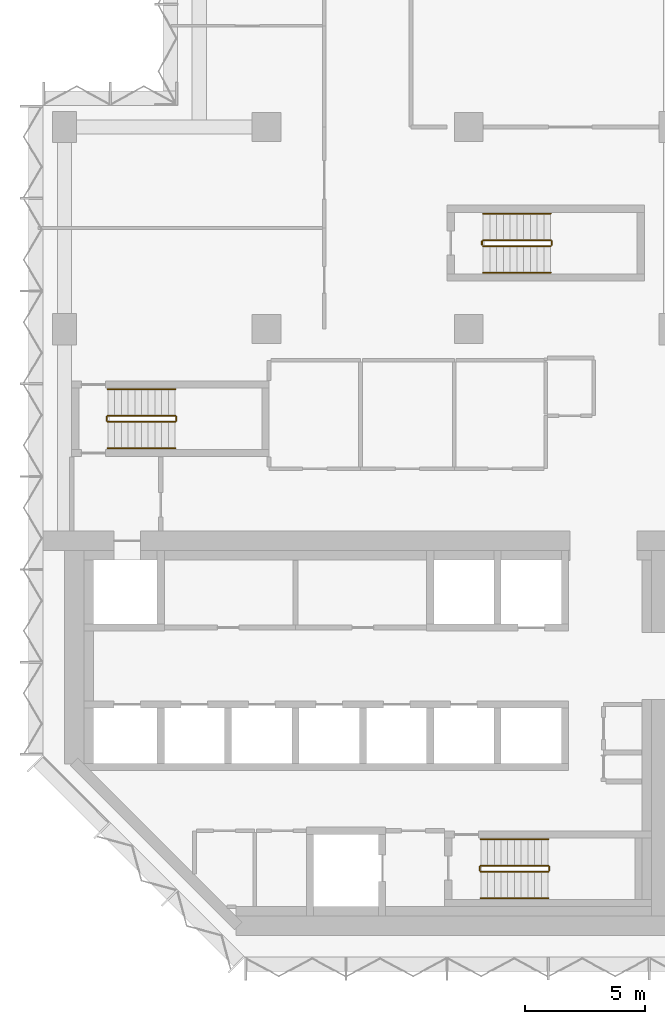
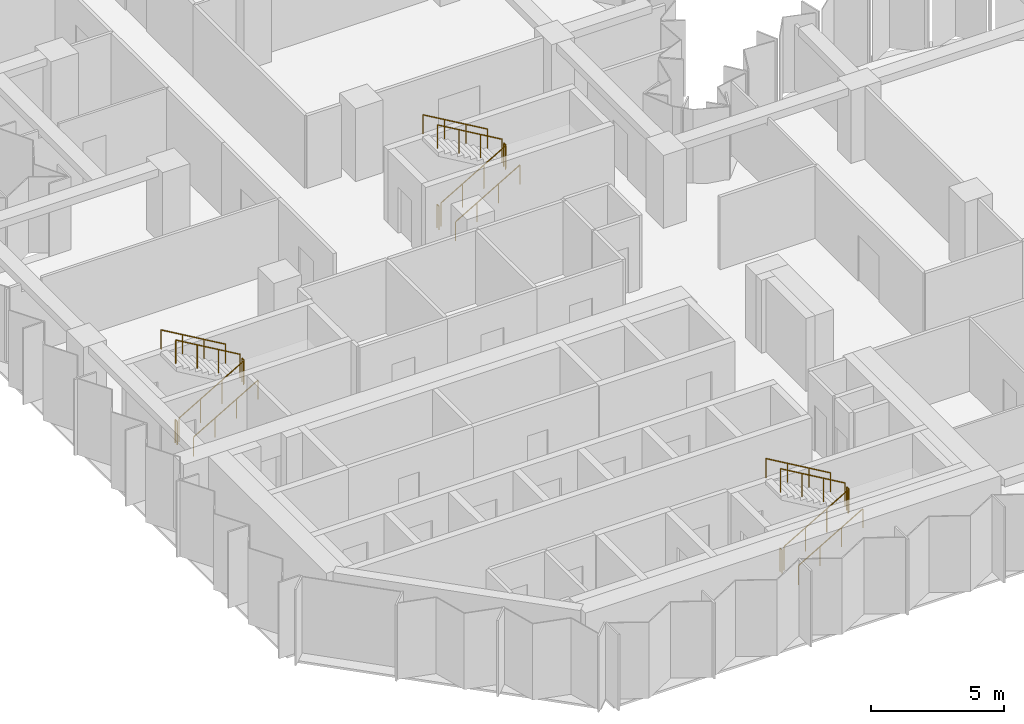
# One storey, part 10 of 11: 18 railings.
"""IFC4 building model written with IfcOpenShell, lengths in metres."""

from ifc_helpers import new_model, si_unit, direction, frame, origin, origin_2d, place, context, subcontext, project, spatial, circle, extrude, material, type_object, element, save


model = new_model("IFC4")

# Units and contexts
model_context = context("Model", 3, precision=1e-05, world=origin(), true_north=direction((0.0, 1.0)))
body_context = subcontext(model_context, "Body", "Model", "MODEL_VIEW")
ifc_project = project(units=[si_unit("LENGTHUNIT", "METRE"), si_unit("AREAUNIT", "SQUARE_METRE"), si_unit("VOLUMEUNIT", "CUBIC_METRE"), si_unit("PLANEANGLEUNIT", "RADIAN"), si_unit("MASSUNIT", "GRAM", prefix="KILO")], contexts=[model_context])

# Site, building, storey
site_placement = place(None, origin())
site = spatial("IfcSite", under=ifc_project, at=site_placement, CompositionType="ELEMENT")
building_placement = place(site_placement, origin())
building = spatial("IfcBuilding", under=site, at=building_placement, Name="Brevane Broadcast Tower", CompositionType="ELEMENT")
storey_placement = place(building_placement, frame((0.0, 0.0, 142.10009765625)))
storey = spatial("IfcBuildingStorey", under=building, at=storey_placement, Name="L35", CompositionType="ELEMENT", Elevation=142.10009765625)

# Railings
ifc_material = material(Name="Steel S355", Category="steel")
railing_type_1 = type_object("IfcRailingType", Name="Exit stair guard", PredefinedType="GUARDRAIL", material=ifc_material)
railing_1_placement = place(storey_placement, frame((1.800048828125, 21.35009765625, 0.16357421875)))
element("IfcRailing", 1, at=railing_1_placement, inside=storey, type_object=railing_type_1, Name="L35 ST-1 stair guard 1", PredefinedType="GUARDRAIL", context=body_context, shape_type="SweptSolid", body=[
    extrude(circle(Radius=0.02392578125, at=origin_2d()), frame((0.0, 0.0, 1.076171875), z_axis=(0.863393664356, 0.0, 0.504530851732), x_axis=(0.0, 1.0, 0.0)), (0.0, 0.0, 1.0), 3.2431640625),
    extrude(circle(Radius=0.02099609375, at=origin_2d()), origin(), (0.0, 0.0, 1.0), 1.052001953125),
    extrude(circle(Radius=0.02099609375, at=origin_2d()), frame((0.933349609375, 0.0, 0.54541015625)), (0.0, 0.0, 1.0), 1.052001953125),
    extrude(circle(Radius=0.02099609375, at=origin_2d()), frame((1.86669921875, 0.0, 1.0908203125)), (0.0, 0.0, 1.0), 1.052001953125),
    extrude(circle(Radius=0.02099609375, at=origin_2d()), frame((2.800048828125, 0.0, 1.63623046875)), (0.0, 0.0, 1.0), 1.052001953125),
])
railing_2_placement = place(storey_placement, frame((4.64990234375, 21.39990234375, 1.7998046875)))
element("IfcRailing", 2, at=railing_2_placement, inside=storey, type_object=railing_type_1, Name="L35 ST-1 stair guard 2", PredefinedType="GUARDRAIL", context=body_context, shape_type="SweptSolid", body=[
    extrude(circle(Radius=0.02392578125, at=origin_2d()), frame((0.0, 0.0, 1.076171875), z_axis=(0.0, 1.0, 0.0), x_axis=(-1.0, 0.0, 0.0)), (0.0, 0.0, 1.0), 0.150146484375),
    extrude(circle(Radius=0.02099609375, at=origin_2d()), origin(), (0.0, 0.0, 1.0), 1.052001953125),
    extrude(circle(Radius=0.02099609375, at=origin_2d()), frame((0.0, 0.150146484375, 0.0)), (0.0, 0.0, 1.0), 1.052001953125),
])
railing_3_placement = place(storey_placement, frame((4.60009765625, 21.60009765625, 1.963623046875)))
element("IfcRailing", 3, at=railing_3_placement, inside=storey, type_object=railing_type_1, Name="L35 ST-1 stair guard 3", PredefinedType="GUARDRAIL", context=body_context, shape_type="SweptSolid", body=[
    extrude(circle(Radius=0.02392578125, at=origin_2d()), frame((0.0, 0.0, 1.076171875), z_axis=(-0.863393664356, 0.0, 0.504530851732), x_axis=(0.0, -1.0, 0.0)), (0.0, 0.0, 1.0), 3.2431640625),
    extrude(circle(Radius=0.02099609375, at=origin_2d()), origin(), (0.0, 0.0, 1.0), 1.052001953125),
    extrude(circle(Radius=0.02099609375, at=origin_2d()), frame((-0.933349609375, 0.0, 0.54541015625)), (0.0, 0.0, 1.0), 1.052001953125),
    extrude(circle(Radius=0.02099609375, at=origin_2d()), frame((-1.86669921875, 0.0, 1.0908203125)), (0.0, 0.0, 1.0), 1.052001953125),
    extrude(circle(Radius=0.02099609375, at=origin_2d()), frame((-2.800048828125, 0.0, 1.63623046875)), (0.0, 0.0, 1.0), 1.052001953125),
])
railing_4_placement = place(storey_placement, frame((1.75, 21.39990234375, 0.0)))
element("IfcRailing", 4, at=railing_4_placement, inside=storey, type_object=railing_type_1, Name="L35 ST-1 stair guard 4", PredefinedType="GUARDRAIL", context=body_context, shape_type="SweptSolid", body=[
    extrude(circle(Radius=0.02392578125, at=origin_2d()), frame((0.0, 0.0, 1.076171875), z_axis=(0.0, 1.0, 0.0), x_axis=(-1.0, 0.0, 0.0)), (0.0, 0.0, 1.0), 0.150146484375),
    extrude(circle(Radius=0.02099609375, at=origin_2d()), origin(), (0.0, 0.0, 1.0), 1.052001953125),
    extrude(circle(Radius=0.02099609375, at=origin_2d()), frame((0.0, 0.150146484375, 0.0)), (0.0, 0.0, 1.0), 1.052001953125),
])
railing_5_placement = place(storey_placement, frame((17.300048828125, 2.64990234375, 0.16357421875)))
element("IfcRailing", 5, at=railing_5_placement, inside=storey, type_object=railing_type_1, Name="L35 ST-2 stair guard 1", PredefinedType="GUARDRAIL", context=body_context, shape_type="SweptSolid", body=[
    extrude(circle(Radius=0.02392578125, at=origin_2d()), frame((0.0, 0.0, 1.076171875), z_axis=(0.863393664356, 0.0, 0.504530851732), x_axis=(0.0, 1.0, 0.0)), (0.0, 0.0, 1.0), 3.2431640625),
    extrude(circle(Radius=0.02099609375, at=origin_2d()), origin(), (0.0, 0.0, 1.0), 1.052001953125),
    extrude(circle(Radius=0.02099609375, at=origin_2d()), frame((0.933349609375, 0.0, 0.54541015625)), (0.0, 0.0, 1.0), 1.052001953125),
    extrude(circle(Radius=0.02099609375, at=origin_2d()), frame((1.86669921875, 0.0, 1.0908203125)), (0.0, 0.0, 1.0), 1.052001953125),
    extrude(circle(Radius=0.02099609375, at=origin_2d()), frame((2.800048828125, 0.0, 1.63623046875)), (0.0, 0.0, 1.0), 1.052001953125),
])
railing_6_placement = place(storey_placement, frame((20.14990234375, 2.699951171875, 1.7998046875)))
element("IfcRailing", 6, at=railing_6_placement, inside=storey, type_object=railing_type_1, Name="L35 ST-2 stair guard 2", PredefinedType="GUARDRAIL", context=body_context, shape_type="SweptSolid", body=[
    extrude(circle(Radius=0.02392578125, at=origin_2d()), frame((0.0, 0.0, 1.076171875), z_axis=(0.0, 1.0, 0.0), x_axis=(-1.0, 0.0, 0.0)), (0.0, 0.0, 1.0), 0.150146484375),
    extrude(circle(Radius=0.02099609375, at=origin_2d()), origin(), (0.0, 0.0, 1.0), 1.052001953125),
    extrude(circle(Radius=0.02099609375, at=origin_2d()), frame((0.0, 0.150146484375, 0.0)), (0.0, 0.0, 1.0), 1.052001953125),
])
railing_7_placement = place(storey_placement, frame((20.10009765625, 2.89990234375, 1.963623046875)))
element("IfcRailing", 7, at=railing_7_placement, inside=storey, type_object=railing_type_1, Name="L35 ST-2 stair guard 3", PredefinedType="GUARDRAIL", context=body_context, shape_type="SweptSolid", body=[
    extrude(circle(Radius=0.02392578125, at=origin_2d()), frame((0.0, 0.0, 1.076171875), z_axis=(-0.863393664356, 0.0, 0.504530851732), x_axis=(0.0, -1.0, 0.0)), (0.0, 0.0, 1.0), 3.2431640625),
    extrude(circle(Radius=0.02099609375, at=origin_2d()), origin(), (0.0, 0.0, 1.0), 1.052001953125),
    extrude(circle(Radius=0.02099609375, at=origin_2d()), frame((-0.933349609375, 0.0, 0.54541015625)), (0.0, 0.0, 1.0), 1.052001953125),
    extrude(circle(Radius=0.02099609375, at=origin_2d()), frame((-1.86669921875, 0.0, 1.0908203125)), (0.0, 0.0, 1.0), 1.052001953125),
    extrude(circle(Radius=0.02099609375, at=origin_2d()), frame((-2.800048828125, 0.0, 1.63623046875)), (0.0, 0.0, 1.0), 1.052001953125),
])
railing_8_placement = place(storey_placement, frame((17.25, 2.699951171875, 0.0)))
element("IfcRailing", 8, at=railing_8_placement, inside=storey, type_object=railing_type_1, Name="L35 ST-2 stair guard 4", PredefinedType="GUARDRAIL", context=body_context, shape_type="SweptSolid", body=[
    extrude(circle(Radius=0.02392578125, at=origin_2d()), frame((0.0, 0.0, 1.076171875), z_axis=(0.0, 1.0, 0.0), x_axis=(-1.0, 0.0, 0.0)), (0.0, 0.0, 1.0), 0.150146484375),
    extrude(circle(Radius=0.02099609375, at=origin_2d()), origin(), (0.0, 0.0, 1.0), 1.052001953125),
    extrude(circle(Radius=0.02099609375, at=origin_2d()), frame((0.0, 0.150146484375, 0.0)), (0.0, 0.0, 1.0), 1.052001953125),
])
railing_9_placement = place(storey_placement, frame((17.39990234375, 28.64990234375, 0.16357421875)))
element("IfcRailing", 9, at=railing_9_placement, inside=storey, type_object=railing_type_1, Name="L35 ST-3 stair guard 1", PredefinedType="GUARDRAIL", context=body_context, shape_type="SweptSolid", body=[
    extrude(circle(Radius=0.02392578125, at=origin_2d()), frame((0.0, 0.0, 1.076171875), z_axis=(0.863393664356, 0.0, 0.504530851732), x_axis=(0.0, 1.0, 0.0)), (0.0, 0.0, 1.0), 3.2431640625),
    extrude(circle(Radius=0.02099609375, at=origin_2d()), origin(), (0.0, 0.0, 1.0), 1.052001953125),
    extrude(circle(Radius=0.02099609375, at=origin_2d()), frame((0.933349609375, 0.0, 0.54541015625)), (0.0, 0.0, 1.0), 1.052001953125),
    extrude(circle(Radius=0.02099609375, at=origin_2d()), frame((1.86669921875, 0.0, 1.0908203125)), (0.0, 0.0, 1.0), 1.052001953125),
    extrude(circle(Radius=0.02099609375, at=origin_2d()), frame((2.800048828125, 0.0, 1.63623046875)), (0.0, 0.0, 1.0), 1.052001953125),
])
railing_10_placement = place(storey_placement, frame((20.25, 28.699951171875, 1.7998046875)))
element("IfcRailing", 10, at=railing_10_placement, inside=storey, type_object=railing_type_1, Name="L35 ST-3 stair guard 2", PredefinedType="GUARDRAIL", context=body_context, shape_type="SweptSolid", body=[
    extrude(circle(Radius=0.02392578125, at=origin_2d()), frame((0.0, 0.0, 1.076171875), z_axis=(0.0, 1.0, 0.0), x_axis=(-1.0, 0.0, 0.0)), (0.0, 0.0, 1.0), 0.150146484375),
    extrude(circle(Radius=0.02099609375, at=origin_2d()), origin(), (0.0, 0.0, 1.0), 1.052001953125),
    extrude(circle(Radius=0.02099609375, at=origin_2d()), frame((0.0, 0.150146484375, 0.0)), (0.0, 0.0, 1.0), 1.052001953125),
])
railing_11_placement = place(storey_placement, frame((20.199951171875, 28.89990234375, 1.963623046875)))
element("IfcRailing", 11, at=railing_11_placement, inside=storey, type_object=railing_type_1, Name="L35 ST-3 stair guard 3", PredefinedType="GUARDRAIL", context=body_context, shape_type="SweptSolid", body=[
    extrude(circle(Radius=0.02392578125, at=origin_2d()), frame((0.0, 0.0, 1.076171875), z_axis=(-0.863393664356, 0.0, 0.504530851732), x_axis=(0.0, -1.0, 0.0)), (0.0, 0.0, 1.0), 3.2431640625),
    extrude(circle(Radius=0.02099609375, at=origin_2d()), origin(), (0.0, 0.0, 1.0), 1.052001953125),
    extrude(circle(Radius=0.02099609375, at=origin_2d()), frame((-0.933349609375, 0.0, 0.54541015625)), (0.0, 0.0, 1.0), 1.052001953125),
    extrude(circle(Radius=0.02099609375, at=origin_2d()), frame((-1.86669921875, 0.0, 1.0908203125)), (0.0, 0.0, 1.0), 1.052001953125),
    extrude(circle(Radius=0.02099609375, at=origin_2d()), frame((-2.800048828125, 0.0, 1.63623046875)), (0.0, 0.0, 1.0), 1.052001953125),
])
railing_12_placement = place(storey_placement, frame((17.35009765625, 28.699951171875, 0.0)))
element("IfcRailing", 12, at=railing_12_placement, inside=storey, type_object=railing_type_1, Name="L35 ST-3 stair guard 4", PredefinedType="GUARDRAIL", context=body_context, shape_type="SweptSolid", body=[
    extrude(circle(Radius=0.02392578125, at=origin_2d()), frame((0.0, 0.0, 1.076171875), z_axis=(0.0, 1.0, 0.0), x_axis=(-1.0, 0.0, 0.0)), (0.0, 0.0, 1.0), 0.150146484375),
    extrude(circle(Radius=0.02099609375, at=origin_2d()), origin(), (0.0, 0.0, 1.0), 1.052001953125),
    extrude(circle(Radius=0.02099609375, at=origin_2d()), frame((0.0, 0.150146484375, 0.0)), (0.0, 0.0, 1.0), 1.052001953125),
])
railing_type_2 = type_object("IfcRailingType", Name="Exit stair handrail", PredefinedType="HANDRAIL", material=ifc_material)
railing_13_placement = place(storey_placement, frame((1.800048828125, 20.25, 0.16357421875)))
element("IfcRailing", 13, at=railing_13_placement, inside=storey, type_object=railing_type_2, Name="L35 ST-1 stair handrail 1", PredefinedType="HANDRAIL", context=body_context, shape_type="SweptSolid", body=[
    extrude(circle(Radius=0.02392578125, at=origin_2d()), frame((0.0, 0.0, 0.8759765625), z_axis=(0.863393664356, 0.0, 0.504530851732), x_axis=(0.0, 1.0, 0.0)), (0.0, 0.0, 1.0), 3.2431640625),
    extrude(circle(Radius=0.02099609375, at=origin_2d()), origin(), (0.0, 0.0, 1.0), 0.851806640625),
    extrude(circle(Radius=0.02099609375, at=origin_2d()), frame((0.933349609375, 0.0, 0.54541015625)), (0.0, 0.0, 1.0), 0.851806640625),
    extrude(circle(Radius=0.02099609375, at=origin_2d()), frame((1.86669921875, 0.0, 1.0908203125)), (0.0, 0.0, 1.0), 0.851806640625),
    extrude(circle(Radius=0.02099609375, at=origin_2d()), frame((2.800048828125, 0.0, 1.63623046875)), (0.0, 0.0, 1.0), 0.851806640625),
])
railing_14_placement = place(storey_placement, frame((4.60009765625, 22.699951171875, 1.963623046875)))
element("IfcRailing", 14, at=railing_14_placement, inside=storey, type_object=railing_type_2, Name="L35 ST-1 stair handrail 2", PredefinedType="HANDRAIL", context=body_context, shape_type="SweptSolid", body=[
    extrude(circle(Radius=0.02392578125, at=origin_2d()), frame((0.0, 0.0, 0.8759765625), z_axis=(-0.863393664356, 0.0, 0.504530851732), x_axis=(0.0, -1.0, 0.0)), (0.0, 0.0, 1.0), 3.2431640625),
    extrude(circle(Radius=0.02099609375, at=origin_2d()), origin(), (0.0, 0.0, 1.0), 0.851806640625),
    extrude(circle(Radius=0.02099609375, at=origin_2d()), frame((-0.933349609375, 0.0, 0.54541015625)), (0.0, 0.0, 1.0), 0.851806640625),
    extrude(circle(Radius=0.02099609375, at=origin_2d()), frame((-1.86669921875, 0.0, 1.0908203125)), (0.0, 0.0, 1.0), 0.851806640625),
    extrude(circle(Radius=0.02099609375, at=origin_2d()), frame((-2.800048828125, 0.0, 1.63623046875)), (0.0, 0.0, 1.0), 0.851806640625),
])
railing_15_placement = place(storey_placement, frame((17.300048828125, 1.550048828125, 0.16357421875)))
element("IfcRailing", 15, at=railing_15_placement, inside=storey, type_object=railing_type_2, Name="L35 ST-2 stair handrail 1", PredefinedType="HANDRAIL", context=body_context, shape_type="SweptSolid", body=[
    extrude(circle(Radius=0.02392578125, at=origin_2d()), frame((0.0, 0.0, 0.8759765625), z_axis=(0.863393664356, 0.0, 0.504530851732), x_axis=(0.0, 1.0, 0.0)), (0.0, 0.0, 1.0), 3.2431640625),
    extrude(circle(Radius=0.02099609375, at=origin_2d()), origin(), (0.0, 0.0, 1.0), 0.851806640625),
    extrude(circle(Radius=0.02099609375, at=origin_2d()), frame((0.933349609375, 0.0, 0.54541015625)), (0.0, 0.0, 1.0), 0.851806640625),
    extrude(circle(Radius=0.02099609375, at=origin_2d()), frame((1.86669921875, 0.0, 1.0908203125)), (0.0, 0.0, 1.0), 0.851806640625),
    extrude(circle(Radius=0.02099609375, at=origin_2d()), frame((2.800048828125, 0.0, 1.63623046875)), (0.0, 0.0, 1.0), 0.851806640625),
])
railing_16_placement = place(storey_placement, frame((20.10009765625, 4.0, 1.963623046875)))
element("IfcRailing", 16, at=railing_16_placement, inside=storey, type_object=railing_type_2, Name="L35 ST-2 stair handrail 2", PredefinedType="HANDRAIL", context=body_context, shape_type="SweptSolid", body=[
    extrude(circle(Radius=0.02392578125, at=origin_2d()), frame((0.0, 0.0, 0.8759765625), z_axis=(-0.863393664356, 0.0, 0.504530851732), x_axis=(0.0, -1.0, 0.0)), (0.0, 0.0, 1.0), 3.2431640625),
    extrude(circle(Radius=0.02099609375, at=origin_2d()), origin(), (0.0, 0.0, 1.0), 0.851806640625),
    extrude(circle(Radius=0.02099609375, at=origin_2d()), frame((-0.933349609375, 0.0, 0.54541015625)), (0.0, 0.0, 1.0), 0.851806640625),
    extrude(circle(Radius=0.02099609375, at=origin_2d()), frame((-1.86669921875, 0.0, 1.0908203125)), (0.0, 0.0, 1.0), 0.851806640625),
    extrude(circle(Radius=0.02099609375, at=origin_2d()), frame((-2.800048828125, 0.0, 1.63623046875)), (0.0, 0.0, 1.0), 0.851806640625),
])
railing_17_placement = place(storey_placement, frame((17.39990234375, 27.550048828125, 0.16357421875)))
element("IfcRailing", 17, at=railing_17_placement, inside=storey, type_object=railing_type_2, Name="L35 ST-3 stair handrail 1", PredefinedType="HANDRAIL", context=body_context, shape_type="SweptSolid", body=[
    extrude(circle(Radius=0.02392578125, at=origin_2d()), frame((0.0, 0.0, 0.8759765625), z_axis=(0.863393664356, 0.0, 0.504530851732), x_axis=(0.0, 1.0, 0.0)), (0.0, 0.0, 1.0), 3.2431640625),
    extrude(circle(Radius=0.02099609375, at=origin_2d()), origin(), (0.0, 0.0, 1.0), 0.851806640625),
    extrude(circle(Radius=0.02099609375, at=origin_2d()), frame((0.933349609375, 0.0, 0.54541015625)), (0.0, 0.0, 1.0), 0.851806640625),
    extrude(circle(Radius=0.02099609375, at=origin_2d()), frame((1.86669921875, 0.0, 1.0908203125)), (0.0, 0.0, 1.0), 0.851806640625),
    extrude(circle(Radius=0.02099609375, at=origin_2d()), frame((2.800048828125, 0.0, 1.63623046875)), (0.0, 0.0, 1.0), 0.851806640625),
])
railing_18_placement = place(storey_placement, frame((20.199951171875, 30.0, 1.963623046875)))
element("IfcRailing", 18, at=railing_18_placement, inside=storey, type_object=railing_type_2, Name="L35 ST-3 stair handrail 2", PredefinedType="HANDRAIL", context=body_context, shape_type="SweptSolid", body=[
    extrude(circle(Radius=0.02392578125, at=origin_2d()), frame((0.0, 0.0, 0.8759765625), z_axis=(-0.863393664356, 0.0, 0.504530851732), x_axis=(0.0, -1.0, 0.0)), (0.0, 0.0, 1.0), 3.2431640625),
    extrude(circle(Radius=0.02099609375, at=origin_2d()), origin(), (0.0, 0.0, 1.0), 0.851806640625),
    extrude(circle(Radius=0.02099609375, at=origin_2d()), frame((-0.933349609375, 0.0, 0.54541015625)), (0.0, 0.0, 1.0), 0.851806640625),
    extrude(circle(Radius=0.02099609375, at=origin_2d()), frame((-1.86669921875, 0.0, 1.0908203125)), (0.0, 0.0, 1.0), 0.851806640625),
    extrude(circle(Radius=0.02099609375, at=origin_2d()), frame((-2.800048828125, 0.0, 1.63623046875)), (0.0, 0.0, 1.0), 0.851806640625),
])

save(model, "model.ifc")
